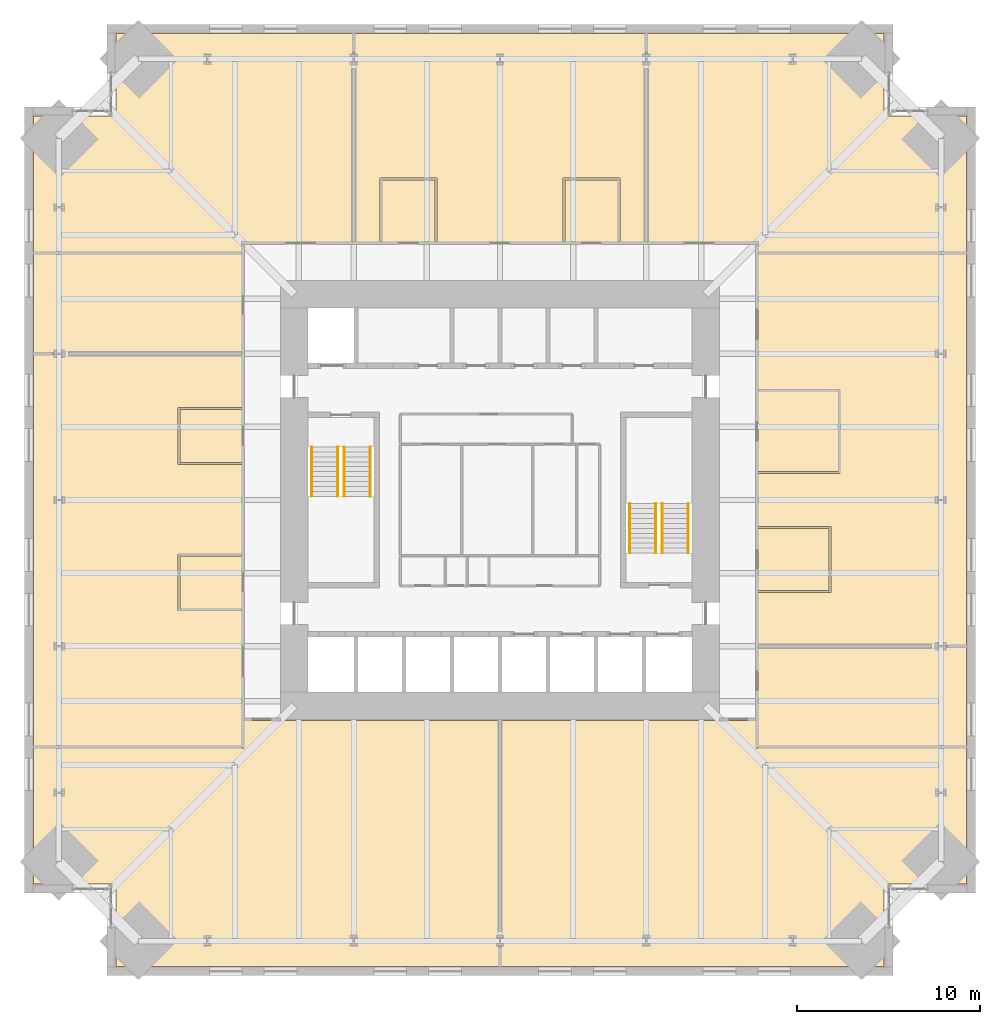
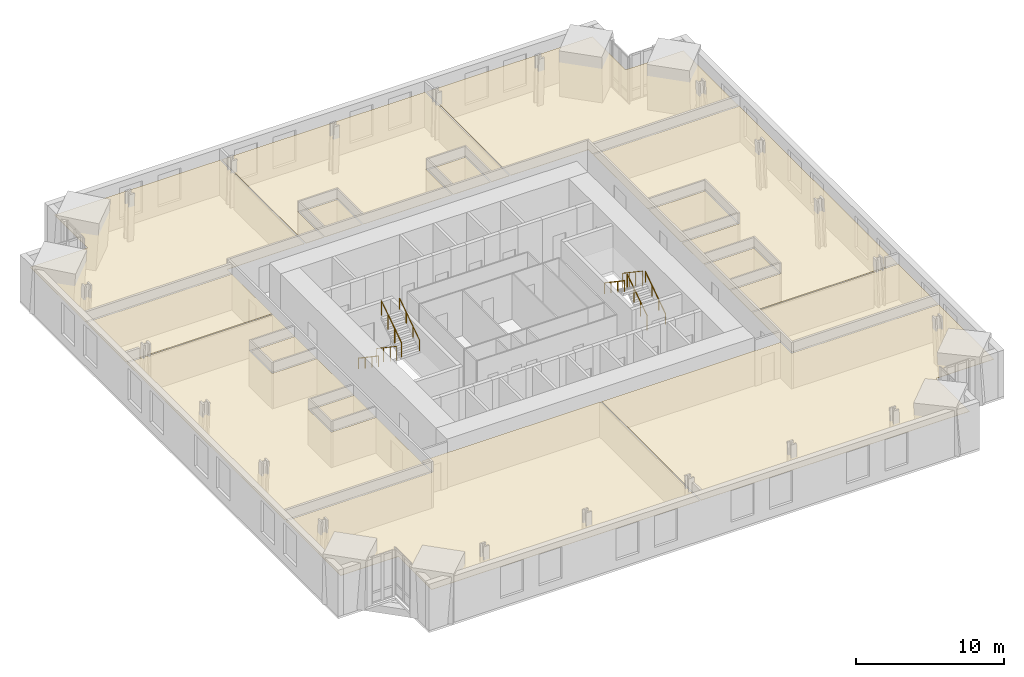
# One storey, part 18 of 18: 15 coverings, 8 railings.
"""IFC4 building model written with IfcOpenShell, lengths in metres."""

from ifc_helpers import new_model, si_unit, direction, frame, origin, origin_2d, place, context, subcontext, project, spatial, polyline, circle, outline, extrude, material, layer, layer_set, type_object, element, save


model = new_model("IFC4")

# Units and contexts
model_context = context("Model", 3, precision=1e-05, world=origin(), true_north=direction((0.0, 1.0)))
body_context = subcontext(model_context, "Body", "Model", "MODEL_VIEW")
ifc_project = project(units=[si_unit("LENGTHUNIT", "METRE"), si_unit("AREAUNIT", "SQUARE_METRE"), si_unit("VOLUMEUNIT", "CUBIC_METRE"), si_unit("PLANEANGLEUNIT", "RADIAN"), si_unit("MASSUNIT", "GRAM", prefix="KILO")], contexts=[model_context])

# Site, building, storey
site_placement = place(None, origin())
site = spatial("IfcSite", under=ifc_project, at=site_placement, CompositionType="ELEMENT")
building_placement = place(site_placement, origin())
building = spatial("IfcBuilding", under=site, at=building_placement, Name="Peilmerk Tower", CompositionType="ELEMENT")
storey_placement = place(building_placement, frame((0.0, 0.0, 167.800048828125)))
storey = spatial("IfcBuildingStorey", under=building, at=storey_placement, Name="L35", CompositionType="ELEMENT", Elevation=167.800048828125)

# Coverings
ifc_material_1 = material(Name="Mineral fibre ceiling tiles", Category="mineral")
ifc_layer = layer(ifc_material_1, 0.02490234375)
ifc_layer_set = layer_set([ifc_layer], Name="Mineral fibre ceiling tiles")
covering_type = type_object("IfcCoveringType", Name="CL1 25 suspended ceiling", PredefinedType="CEILING", material=ifc_layer_set)
covering_1_placement = place(storey_placement, frame((0.0, 0.0, 2.905029296875)))
element("IfcCovering", 1, at=covering_1_placement, inside=storey, type_object=covering_type, Name="Suspended ceiling Open workspace", PredefinedType="CEILING", context=body_context, shape_type="SweptSolid", body=[
    extrude(outline(polyline([(-25.5, 21.0), (-25.5, 13.550048828125), (-14.10009765625, 13.550048828125), (-14.10009765625, 14.10009765625), (-8.050048828125, 14.10009765625), (-8.050048828125, 25.5), (-21.0, 25.5), (-21.0, 21.0), (-25.5, 21.0)])), origin(), (0.0, 0.0, 1.0), 0.02490234375),
])
covering_2_placement = place(storey_placement, frame((0.0, 0.0, 2.905029296875)))
element("IfcCovering", 2, at=covering_2_placement, inside=storey, type_object=covering_type, Name="Suspended ceiling Project room", PredefinedType="CEILING", context=body_context, shape_type="SweptSolid", body=[
    extrude(outline(polyline([(7.949951171875, 14.10009765625), (7.949951171875, 25.5), (-7.949951171875, 25.5), (-7.949951171875, 14.10009765625), (-6.550048828125, 14.10009765625), (-6.550048828125, 17.60009765625), (-3.449951171875, 17.60009765625), (-3.449951171875, 14.10009765625), (3.449951171875, 14.10009765625), (3.449951171875, 17.60009765625), (6.550048828125, 17.60009765625), (6.550048828125, 14.10009765625), (7.949951171875, 14.10009765625)])), origin(), (0.0, 0.0, 1.0), 0.02490234375),
])
covering_3_placement = place(storey_placement, frame((0.0, 0.0, 2.905029296875)))
element("IfcCovering", 3, at=covering_3_placement, inside=storey, type_object=covering_type, Name="Suspended ceiling Open workspace", PredefinedType="CEILING", context=body_context, shape_type="SweptSolid", body=[
    extrude(outline(polyline([(21.0, 25.5), (8.050048828125, 25.5), (8.050048828125, 14.10009765625), (14.10009765625, 14.10009765625), (14.10009765625, 13.550048828125), (25.5, 13.550048828125), (25.5, 21.0), (21.0, 21.0), (21.0, 25.5)])), origin(), (0.0, 0.0, 1.0), 0.02490234375),
])
covering_4_placement = place(storey_placement, frame((0.0, 0.0, 2.905029296875)))
element("IfcCovering", 4, at=covering_4_placement, inside=storey, type_object=covering_type, Name="Suspended ceiling Focus room", PredefinedType="CEILING", context=body_context, shape_type="SweptSolid", body=[
    extrude(outline(polyline([(-3.550048828125, 14.10009765625), (-3.550048828125, 17.5), (-6.449951171875, 17.5), (-6.449951171875, 14.10009765625), (-3.550048828125, 14.10009765625)])), origin(), (0.0, 0.0, 1.0), 0.02490234375),
])
covering_5_placement = place(storey_placement, frame((0.0, 0.0, 2.905029296875)))
element("IfcCovering", 5, at=covering_5_placement, inside=storey, type_object=covering_type, Name="Suspended ceiling Focus room", PredefinedType="CEILING", context=body_context, shape_type="SweptSolid", body=[
    extrude(outline(polyline([(6.449951171875, 14.10009765625), (6.449951171875, 17.5), (3.550048828125, 17.5), (3.550048828125, 14.10009765625), (6.449951171875, 14.10009765625)])), origin(), (0.0, 0.0, 1.0), 0.02490234375),
])
covering_6_placement = place(storey_placement, frame((0.0, 0.0, 2.905029296875)))
element("IfcCovering", 6, at=covering_6_placement, inside=storey, type_object=covering_type, Name="Suspended ceiling Open workspace", PredefinedType="CEILING", context=body_context, shape_type="SweptSolid", body=[
    extrude(outline(polyline([(-21.0, -25.5), (-0.050048828125, -25.5), (-0.050048828125, -12.050048828125), (-14.0, -12.050048828125), (-14.0, -13.550048828125), (-25.5, -13.550048828125), (-25.5, -21.0), (-21.0, -21.0), (-21.0, -25.5)])), origin(), (0.0, 0.0, 1.0), 0.02490234375),
])
covering_7_placement = place(storey_placement, frame((0.0, 0.0, 2.905029296875)))
element("IfcCovering", 7, at=covering_7_placement, inside=storey, type_object=covering_type, Name="Suspended ceiling Open workspace", PredefinedType="CEILING", context=body_context, shape_type="SweptSolid", body=[
    extrude(outline(polyline([(0.050048828125, -25.5), (21.0, -25.5), (21.0, -21.0), (25.5, -21.0), (25.5, -13.550048828125), (14.0, -13.550048828125), (14.0, -12.050048828125), (0.050048828125, -12.050048828125), (0.050048828125, -25.5)])), origin(), (0.0, 0.0, 1.0), 0.02490234375),
])
covering_8_placement = place(storey_placement, frame((0.0, 0.0, 2.905029296875)))
element("IfcCovering", 8, at=covering_8_placement, inside=storey, type_object=covering_type, Name="Suspended ceiling Project room", PredefinedType="CEILING", context=body_context, shape_type="SweptSolid", body=[
    extrude(outline(polyline([(25.5, -13.449951171875), (25.5, -8.050048828125), (14.10009765625, -8.050048828125), (14.10009765625, -13.449951171875), (25.5, -13.449951171875)])), origin(), (0.0, 0.0, 1.0), 0.02490234375),
])
covering_9_placement = place(storey_placement, frame((0.0, 0.0, 2.905029296875)))
element("IfcCovering", 9, at=covering_9_placement, inside=storey, type_object=covering_type, Name="Suspended ceiling Open workspace", PredefinedType="CEILING", context=body_context, shape_type="SweptSolid", body=[
    extrude(outline(polyline([(14.10009765625, -7.949951171875), (25.5, -7.949951171875), (25.5, 13.449951171875), (14.10009765625, 13.449951171875), (14.10009765625, 6.050048828125), (18.60009765625, 6.050048828125), (18.60009765625, 1.449951171875), (14.10009765625, 1.449951171875), (14.10009765625, -1.449951171875), (18.10009765625, -1.449951171875), (18.10009765625, -5.050048828125), (14.10009765625, -5.050048828125), (14.10009765625, -7.949951171875)])), origin(), (0.0, 0.0, 1.0), 0.02490234375),
])
covering_10_placement = place(storey_placement, frame((0.0, 0.0, 2.905029296875)))
element("IfcCovering", 10, at=covering_10_placement, inside=storey, type_object=covering_type, Name="Suspended ceiling Meeting room", PredefinedType="CEILING", context=body_context, shape_type="SweptSolid", body=[
    extrude(outline(polyline([(18.5, 1.550048828125), (18.5, 5.949951171875), (14.10009765625, 5.949951171875), (14.10009765625, 1.550048828125), (18.5, 1.550048828125)])), origin(), (0.0, 0.0, 1.0), 0.02490234375),
])
covering_11_placement = place(storey_placement, frame((0.0, 0.0, 2.905029296875)))
element("IfcCovering", 11, at=covering_11_placement, inside=storey, type_object=covering_type, Name="Suspended ceiling Pantry", PredefinedType="CEILING", context=body_context, shape_type="SweptSolid", body=[
    extrude(outline(polyline([(18.0, -4.949951171875), (18.0, -1.550048828125), (14.10009765625, -1.550048828125), (14.10009765625, -4.949951171875), (18.0, -4.949951171875)])), origin(), (0.0, 0.0, 1.0), 0.02490234375),
])
covering_12_placement = place(storey_placement, frame((0.0, 0.0, 2.905029296875)))
element("IfcCovering", 12, at=covering_12_placement, inside=storey, type_object=covering_type, Name="Suspended ceiling Open workspace", PredefinedType="CEILING", context=body_context, shape_type="SweptSolid", body=[
    extrude(outline(polyline([(-14.10009765625, 7.949951171875), (-25.5, 7.949951171875), (-25.5, -13.449951171875), (-14.10009765625, -13.449951171875), (-14.10009765625, -6.050048828125), (-17.60009765625, -6.050048828125), (-17.60009765625, -2.949951171875), (-14.10009765625, -2.949951171875), (-14.10009765625, 1.949951171875), (-17.60009765625, 1.949951171875), (-17.60009765625, 5.050048828125), (-14.10009765625, 5.050048828125), (-14.10009765625, 7.949951171875)])), origin(), (0.0, 0.0, 1.0), 0.02490234375),
])
covering_13_placement = place(storey_placement, frame((0.0, 0.0, 2.905029296875)))
element("IfcCovering", 13, at=covering_13_placement, inside=storey, type_object=covering_type, Name="Suspended ceiling Meeting room", PredefinedType="CEILING", context=body_context, shape_type="SweptSolid", body=[
    extrude(outline(polyline([(-25.5, 13.449951171875), (-25.5, 8.050048828125), (-14.10009765625, 8.050048828125), (-14.10009765625, 13.449951171875), (-25.5, 13.449951171875)])), origin(), (0.0, 0.0, 1.0), 0.02490234375),
])
covering_14_placement = place(storey_placement, frame((0.0, 0.0, 2.905029296875)))
element("IfcCovering", 14, at=covering_14_placement, inside=storey, type_object=covering_type, Name="Suspended ceiling Focus room", PredefinedType="CEILING", context=body_context, shape_type="SweptSolid", body=[
    extrude(outline(polyline([(-14.10009765625, -5.949951171875), (-14.10009765625, -3.050048828125), (-17.5, -3.050048828125), (-17.5, -5.949951171875), (-14.10009765625, -5.949951171875)])), origin(), (0.0, 0.0, 1.0), 0.02490234375),
])
covering_15_placement = place(storey_placement, frame((0.0, 0.0, 2.905029296875)))
element("IfcCovering", 15, at=covering_15_placement, inside=storey, type_object=covering_type, Name="Suspended ceiling Focus room", PredefinedType="CEILING", context=body_context, shape_type="SweptSolid", body=[
    extrude(outline(polyline([(-14.10009765625, 2.050048828125), (-14.10009765625, 4.949951171875), (-17.5, 4.949951171875), (-17.5, 2.050048828125), (-14.10009765625, 2.050048828125)])), origin(), (0.0, 0.0, 1.0), 0.02490234375),
])

# Railings
ifc_material_2 = material(Name="Steel flat bar balustrade", Category="steel")
railing_type_1 = type_object("IfcRailingType", Name="GR1 1200 stair guard", PredefinedType="GUARDRAIL", material=ifc_material_2)
railing_1_placement = place(storey_placement, frame((-8.8798828125, 2.89990234375, 0.181884765625)))
element("IfcRailing", 16, at=railing_1_placement, inside=storey, type_object=railing_type_1, Name="Guard stair 1 L35", PredefinedType="GUARDRAIL", context=body_context, shape_type="SweptSolid", body=[
    extrude(circle(Radius=0.02392578125, at=origin_2d()), frame((0.0, 0.0, 1.17578125), z_axis=(0.0, -0.829468130872, 0.55855404382), x_axis=(1.0, 0.0, 0.0)), (0.0, 0.0, 1.0), 3.255126953125),
    extrude(circle(Radius=0.02099609375, at=origin_2d()), origin(), (0.0, 0.0, 1.0), 1.15185546875),
    extrude(circle(Radius=0.02099609375, at=origin_2d()), frame((0.0, -0.89990234375, 0.60595703125)), (0.0, 0.0, 1.0), 1.15185546875),
    extrude(circle(Radius=0.02099609375, at=origin_2d()), frame((0.0, -1.800048828125, 1.212158203125)), (0.0, 0.0, 1.0), 1.15185546875),
    extrude(circle(Radius=0.02099609375, at=origin_2d()), frame((0.0, -2.699951171875, 1.818115234375)), (0.0, 0.0, 1.0), 1.15185546875),
])
for number, where, name in (
    (17, (-8.52001953125, 0.199951171875, 2.181884765625), "Guard stair 1 L35"),
    (18, (8.8798828125, -2.89990234375, 0.181884765625), "Guard stair 2 L35"),
):
    element("IfcRailing", number, at=place(storey_placement, frame(where)), inside=storey, type_object=railing_type_1, Name=name, PredefinedType="GUARDRAIL", context=body_context, shape_type="SweptSolid", body=[
        extrude(circle(Radius=0.02392578125, at=origin_2d()), frame((0.0, 0.0, 1.17578125), z_axis=(0.0, 0.829468130872, 0.55855404382), x_axis=(-1.0, 0.0, 0.0)), (0.0, 0.0, 1.0), 3.255126953125),
        extrude(circle(Radius=0.02099609375, at=origin_2d()), origin(), (0.0, 0.0, 1.0), 1.15185546875),
        extrude(circle(Radius=0.02099609375, at=origin_2d()), frame((0.0, 0.89990234375, 0.60595703125)), (0.0, 0.0, 1.0), 1.15185546875),
        extrude(circle(Radius=0.02099609375, at=origin_2d()), frame((0.0, 1.800048828125, 1.212158203125)), (0.0, 0.0, 1.0), 1.15185546875),
        extrude(circle(Radius=0.02099609375, at=origin_2d()), frame((0.0, 2.699951171875, 1.818115234375)), (0.0, 0.0, 1.0), 1.15185546875),
    ])
railing_2_placement = place(storey_placement, frame((8.52001953125, -0.199951171875, 2.181884765625)))
element("IfcRailing", 19, at=railing_2_placement, inside=storey, type_object=railing_type_1, Name="Guard stair 2 L35", PredefinedType="GUARDRAIL", context=body_context, shape_type="SweptSolid", body=[
    extrude(circle(Radius=0.02392578125, at=origin_2d()), frame((0.0, 0.0, 1.17578125), z_axis=(0.0, -0.829468130872, 0.55855404382), x_axis=(1.0, 0.0, 0.0)), (0.0, 0.0, 1.0), 3.255126953125),
    extrude(circle(Radius=0.02099609375, at=origin_2d()), origin(), (0.0, 0.0, 1.0), 1.15185546875),
    extrude(circle(Radius=0.02099609375, at=origin_2d()), frame((0.0, -0.89990234375, 0.60595703125)), (0.0, 0.0, 1.0), 1.15185546875),
    extrude(circle(Radius=0.02099609375, at=origin_2d()), frame((0.0, -1.800048828125, 1.212158203125)), (0.0, 0.0, 1.0), 1.15185546875),
    extrude(circle(Radius=0.02099609375, at=origin_2d()), frame((0.0, -2.699951171875, 1.818115234375)), (0.0, 0.0, 1.0), 1.15185546875),
])
ifc_material_3 = material(Name="Stainless steel tube", Category="steel")
railing_type_2 = type_object("IfcRailingType", Name="HR1 900 stair handrail", PredefinedType="HANDRAIL", material=ifc_material_3)
railing_3_placement = place(storey_placement, frame((-10.300048828125, 2.89990234375, 0.181884765625)))
element("IfcRailing", 20, at=railing_3_placement, inside=storey, type_object=railing_type_2, Name="Handrail stair 1 L35", PredefinedType="HANDRAIL", context=body_context, shape_type="SweptSolid", body=[
    extrude(circle(Radius=0.02392578125, at=origin_2d()), frame((0.0, 0.0, 0.8759765625), z_axis=(0.0, -0.829468130872, 0.55855404382), x_axis=(1.0, 0.0, 0.0)), (0.0, 0.0, 1.0), 3.255126953125),
    extrude(circle(Radius=0.02099609375, at=origin_2d()), origin(), (0.0, 0.0, 1.0), 0.851806640625),
    extrude(circle(Radius=0.02099609375, at=origin_2d()), frame((0.0, -0.89990234375, 0.60595703125)), (0.0, 0.0, 1.0), 0.851806640625),
    extrude(circle(Radius=0.02099609375, at=origin_2d()), frame((0.0, -1.800048828125, 1.212158203125)), (0.0, 0.0, 1.0), 0.851806640625),
    extrude(circle(Radius=0.02099609375, at=origin_2d()), frame((0.0, -2.699951171875, 1.818115234375)), (0.0, 0.0, 1.0), 0.851806640625),
])
for number, where, name in (
    (21, (-7.10009765625, 0.199951171875, 2.181884765625), "Handrail stair 1 L35"),
    (22, (10.300048828125, -2.89990234375, 0.181884765625), "Handrail stair 2 L35"),
):
    element("IfcRailing", number, at=place(storey_placement, frame(where)), inside=storey, type_object=railing_type_2, Name=name, PredefinedType="HANDRAIL", context=body_context, shape_type="SweptSolid", body=[
        extrude(circle(Radius=0.02392578125, at=origin_2d()), frame((0.0, 0.0, 0.8759765625), z_axis=(0.0, 0.829468130872, 0.55855404382), x_axis=(-1.0, 0.0, 0.0)), (0.0, 0.0, 1.0), 3.255126953125),
        extrude(circle(Radius=0.02099609375, at=origin_2d()), origin(), (0.0, 0.0, 1.0), 0.851806640625),
        extrude(circle(Radius=0.02099609375, at=origin_2d()), frame((0.0, 0.89990234375, 0.60595703125)), (0.0, 0.0, 1.0), 0.851806640625),
        extrude(circle(Radius=0.02099609375, at=origin_2d()), frame((0.0, 1.800048828125, 1.212158203125)), (0.0, 0.0, 1.0), 0.851806640625),
        extrude(circle(Radius=0.02099609375, at=origin_2d()), frame((0.0, 2.699951171875, 1.818115234375)), (0.0, 0.0, 1.0), 0.851806640625),
    ])
railing_4_placement = place(storey_placement, frame((7.10009765625, -0.199951171875, 2.181884765625)))
element("IfcRailing", 23, at=railing_4_placement, inside=storey, type_object=railing_type_2, Name="Handrail stair 2 L35", PredefinedType="HANDRAIL", context=body_context, shape_type="SweptSolid", body=[
    extrude(circle(Radius=0.02392578125, at=origin_2d()), frame((0.0, 0.0, 0.8759765625), z_axis=(0.0, -0.829468130872, 0.55855404382), x_axis=(1.0, 0.0, 0.0)), (0.0, 0.0, 1.0), 3.255126953125),
    extrude(circle(Radius=0.02099609375, at=origin_2d()), origin(), (0.0, 0.0, 1.0), 0.851806640625),
    extrude(circle(Radius=0.02099609375, at=origin_2d()), frame((0.0, -0.89990234375, 0.60595703125)), (0.0, 0.0, 1.0), 0.851806640625),
    extrude(circle(Radius=0.02099609375, at=origin_2d()), frame((0.0, -1.800048828125, 1.212158203125)), (0.0, 0.0, 1.0), 0.851806640625),
    extrude(circle(Radius=0.02099609375, at=origin_2d()), frame((0.0, -2.699951171875, 1.818115234375)), (0.0, 0.0, 1.0), 0.851806640625),
])

save(model, "model.ifc")
